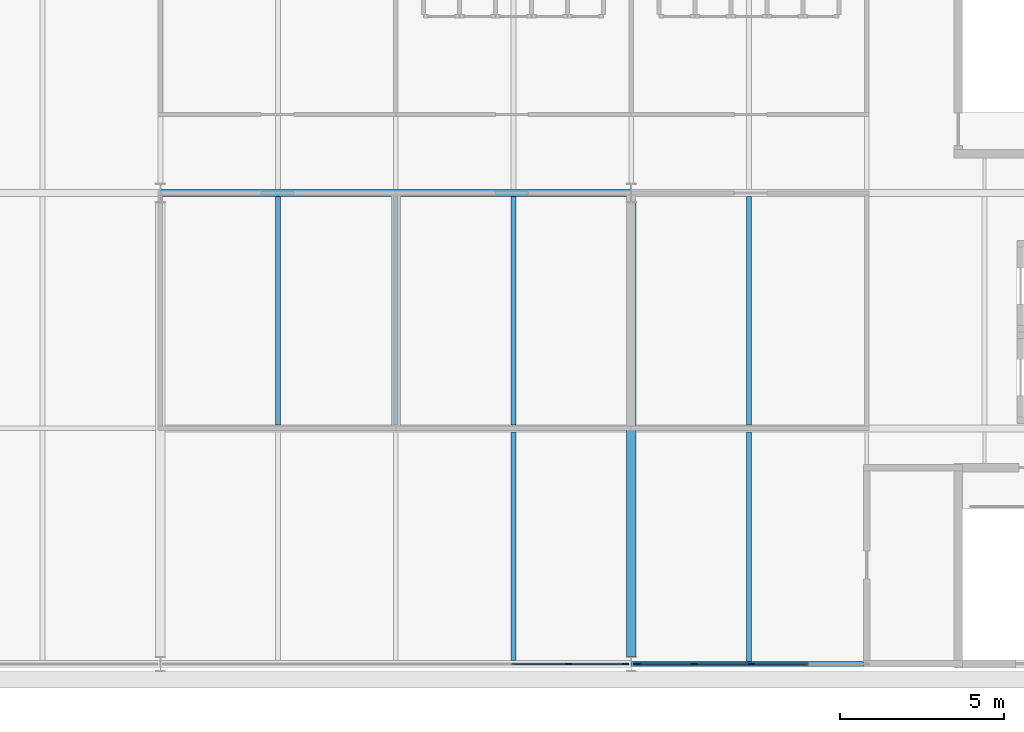
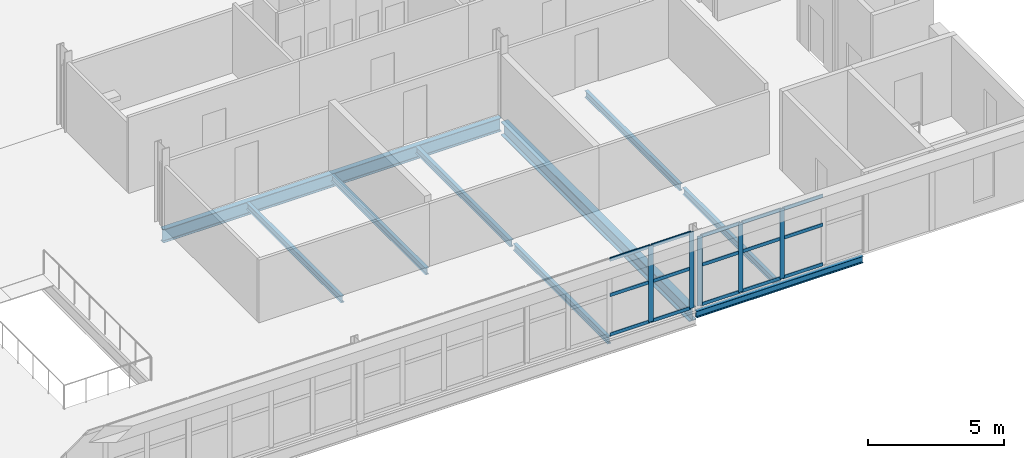
# One storey, part 26 of 142: 20 members, 9 beams, 2 elements without a shape of their own.
"""IFC4 building model written with IfcOpenShell, lengths in metres."""

from ifc_helpers import new_model, si_unit, direction, frame, origin, origin_2d, place, context, subcontext, project, spatial, rectangle, i_section, extrude, material, material_profile, profile_set, type_object, element, aggregate, save


model = new_model("IFC4")

# Units and contexts
model_context = context("Model", 3, precision=1e-05, world=origin(), true_north=direction((0.0, 1.0)))
body_context = subcontext(model_context, "Body", "Model", "MODEL_VIEW")
ifc_project = project(units=[si_unit("LENGTHUNIT", "METRE"), si_unit("AREAUNIT", "SQUARE_METRE"), si_unit("VOLUMEUNIT", "CUBIC_METRE"), si_unit("PLANEANGLEUNIT", "RADIAN"), si_unit("MASSUNIT", "GRAM", prefix="KILO")], contexts=[model_context])

# Site, building, storey
site_placement = place(None, origin())
site = spatial("IfcSite", under=ifc_project, at=site_placement, CompositionType="ELEMENT")
building_placement = place(site_placement, origin())
building = spatial("IfcBuilding", under=site, at=building_placement, Name="Kupolbacken Congress Centre", CompositionType="ELEMENT")
storey_placement = place(building_placement, frame((0.0, 0.0, 14.39990234375)))
storey = spatial("IfcBuildingStorey", under=building, at=storey_placement, Name="L04", CompositionType="ELEMENT", Elevation=14.39990234375)

# Beams
ifc_material_1 = material(Name="Steel S355", Category="steel")
ifc_material_profile_1 = material_profile(ifc_material_1, i_section(OverallWidth=0.14990234375, OverallDepth=0.300048828125, WebThickness=0.007080078125, FlangeThickness=0.0107421875, FilletRadius=0.014892578125, at=origin_2d()), Name="IPE 300")
ifc_profile_set_1 = profile_set([ifc_material_profile_1], Name="Steel S355")
beam_type_1 = type_object("IfcBeamType", Name="B04 beam IPE 300", PredefinedType="BEAM", material=ifc_profile_set_1)
beam_1_placement = place(storey_placement, frame((64.806884765625, 28.800048828125, -0.329833984375), z_axis=(1.0, 0.0, 0.0), x_axis=(0.0, 1.0, 0.0)))
element("IfcBeam", 1, at=beam_1_placement, inside=storey, type_object=beam_type_1, Name="S/floor/F/L04/R019", PredefinedType="BEAM", context=body_context, shape_type="SweptSolid", body=[
    extrude(i_section(OverallWidth=0.14990234375, OverallDepth=0.300048828125, WebThickness=0.007080078125, FlangeThickness=0.0107421875, FilletRadius=0.014892578125, at=origin_2d()), origin(), (0.0, 0.0, 1.0), 7.093017578125),
])
for number, where, z_axis, x_axis, name in (
    (2, (54.0, 36.110107421875, -0.329833984375), (0.0, 1.0, 0.0), (-1.0, 0.0, 0.0), "S/floor/F/L04/S067"),
    (3, (57.60009765625, 36.110107421875, -0.329833984375), (0.0, 1.0, 0.0), (-1.0, 0.0, 0.0), "S/floor/F/L04/S070"),
    (4, (61.199951171875, 28.909912109375, -0.329833984375), (0.0, 1.0, 0.0), (-1.0, 0.0, 0.0), "S/floor/F/L04/S072"),
    (5, (61.199951171875, 36.110107421875, -0.329833984375), (0.0, 1.0, 0.0), (-1.0, 0.0, 0.0), "S/floor/F/L04/S073"),
):
    element("IfcBeam", number, at=place(storey_placement, frame(where, z_axis=z_axis, x_axis=x_axis)), inside=storey, type_object=beam_type_1, Name=name, PredefinedType="BEAM", context=body_context, shape_type="SweptSolid", body=[
        extrude(i_section(OverallWidth=0.14990234375, OverallDepth=0.300048828125, WebThickness=0.007080078125, FlangeThickness=0.0107421875, FilletRadius=0.014892578125, at=origin_2d()), origin(), (0.0, 0.0, 1.0), 6.97998046875),
    ])
beam_2_placement = place(storey_placement, frame((68.39990234375, 28.875, -0.329833984375), z_axis=(0.0, 1.0, 0.0), x_axis=(-1.0, 0.0, 0.0)))
element("IfcBeam", 6, at=beam_2_placement, inside=storey, type_object=beam_type_1, Name="S/floor/F/L04/S075", PredefinedType="BEAM", context=body_context, shape_type="SweptSolid", body=[
    extrude(i_section(OverallWidth=0.14990234375, OverallDepth=0.300048828125, WebThickness=0.007080078125, FlangeThickness=0.0107421875, FilletRadius=0.014892578125, at=origin_2d()), origin(), (0.0, 0.0, 1.0), 7.014892578125),
])
beam_3_placement = place(storey_placement, frame((68.39990234375, 36.110107421875, -0.329833984375), z_axis=(0.0, 1.0, 0.0), x_axis=(-1.0, 0.0, 0.0)))
element("IfcBeam", 7, at=beam_3_placement, inside=storey, type_object=beam_type_1, Name="S/floor/F/L04/S076", PredefinedType="BEAM", context=body_context, shape_type="SweptSolid", body=[
    extrude(i_section(OverallWidth=0.14990234375, OverallDepth=0.300048828125, WebThickness=0.007080078125, FlangeThickness=0.0107421875, FilletRadius=0.014892578125, at=origin_2d()), origin(), (0.0, 0.0, 1.0), 6.97998046875),
])
ifc_material_2 = material(Name="Steel S355", Category="steel")
ifc_material_profile_2 = material_profile(ifc_material_2, i_section(OverallWidth=0.219970703125, OverallDepth=0.60009765625, WebThickness=0.011962890625, FlangeThickness=0.01904296875, FilletRadius=0.02392578125, at=origin_2d()), Name="IPE 600")
ifc_profile_set_2 = profile_set([ifc_material_profile_2], Name="Steel S355")
beam_type_2 = type_object("IfcBeamType", Name="B11 beam IPE 600", PredefinedType="BEAM", material=ifc_profile_set_2)
beam_4_placement = place(storey_placement, frame((50.40771484375, 43.199951171875, -0.47998046875), z_axis=(1.0, 0.0, 0.0), x_axis=(0.0, 1.0, 0.0)))
element("IfcBeam", 8, at=beam_4_placement, inside=storey, type_object=beam_type_2, Name="S/floor/F/L04/R023", PredefinedType="BEAM", context=body_context, shape_type="SweptSolid", body=[
    extrude(i_section(OverallWidth=0.219970703125, OverallDepth=0.60009765625, WebThickness=0.011962890625, FlangeThickness=0.01904296875, FilletRadius=0.02392578125, at=origin_2d()), origin(), (0.0, 0.0, 1.0), 14.384521484375),
])
ifc_material_3 = material(Name="Steel S355", Category="steel")
ifc_material_profile_3 = material_profile(ifc_material_3, i_section(OverallWidth=0.300048828125, OverallDepth=0.60009765625, WebThickness=0.015380859375, FlangeThickness=0.030029296875, FilletRadius=0.027099609375, at=origin_2d()), Name="HEB 600")
ifc_profile_set_3 = profile_set([ifc_material_profile_3], Name="Steel S355")
beam_type_3 = type_object("IfcBeamType", Name="B15 beam HEB 600", PredefinedType="BEAM", material=ifc_profile_set_3)
beam_5_placement = place(storey_placement, frame((64.800048828125, 29.02490234375, -0.47998046875), z_axis=(0.0, 1.0, 0.0), x_axis=(-1.0, 0.0, 0.0)))
element("IfcBeam", 9, at=beam_5_placement, inside=storey, type_object=beam_type_3, Name="S/floor/F/L04/G010", PredefinedType="BEAM", context=body_context, shape_type="SweptSolid", body=[
    extrude(i_section(OverallWidth=0.300048828125, OverallDepth=0.60009765625, WebThickness=0.015380859375, FlangeThickness=0.030029296875, FilletRadius=0.027099609375, at=origin_2d()), origin(), (0.0, 0.0, 1.0), 13.875),
])

# Curtain wall, members
ifc_material_4 = material(Name="Aluminium mullion-transom frame with glass", Category="aluminium")
curtain_wall_type = type_object("IfcCurtainWallType", Name="CW1 curtain wall 7200x3600", PredefinedType="NOTDEFINED", material=ifc_material_4)
curtain_wall_1_placement = place(storey_placement, origin())
curtain_wall_1 = element("IfcCurtainWall", 10, at=curtain_wall_1_placement, inside=storey, type_object=curtain_wall_type, Name="E/F/S/L04/419", PredefinedType="NOTDEFINED")
ifc_material_5 = material(Name="Aluminium alloy", Category="aluminium")
ifc_material_profile_4 = material_profile(ifc_material_5, rectangle(XDim=0.050048828125, YDim=0.199951171875, at=origin_2d()), Name="50 x 200")
ifc_profile_set_4 = profile_set([ifc_material_profile_4], Name="Aluminium alloy")
member_type_1 = type_object("IfcMemberType", Name="MU2 mullion 50x200", PredefinedType="MULLION", material=ifc_profile_set_4)
member_1_placement = place(storey_placement, frame((62.887451171875, 28.800048828125, 0.0), z_axis=(0.0, 0.0, 1.0), x_axis=(0.0, 1.0, 0.0)))
member_1 = element("IfcMember", 11, at=member_1_placement, type_object=member_type_1, Name="CW1 mullion 4", PredefinedType="MULLION", context=body_context, shape_type="SweptSolid", body=[
    extrude(rectangle(XDim=0.050048828125, YDim=0.199951171875, at=origin_2d()), origin(), (0.0, 0.0, 1.0), 3.420166015625),
])
member_2_placement = place(storey_placement, frame((64.625, 28.800048828125, 0.0), z_axis=(0.0, 0.0, 1.0), x_axis=(0.0, 1.0, 0.0)))
member_2 = element("IfcMember", 12, at=member_2_placement, type_object=member_type_1, Name="CW1 mullion 5", PredefinedType="MULLION", context=body_context, shape_type="SweptSolid", body=[
    extrude(rectangle(XDim=0.050048828125, YDim=0.199951171875, at=origin_2d()), origin(), (0.0, 0.0, 1.0), 3.420166015625),
])

curtain_wall_2_placement = place(storey_placement, origin())
curtain_wall_2 = element("IfcCurtainWall", 13, at=curtain_wall_2_placement, inside=storey, type_object=curtain_wall_type, Name="E/F/S/L04/420", PredefinedType="NOTDEFINED")
member_3_placement = place(storey_placement, frame((64.97509765625, 28.800048828125, 0.0), z_axis=(0.0, 0.0, 1.0), x_axis=(0.0, 1.0, 0.0)))
member_3 = element("IfcMember", 14, at=member_3_placement, type_object=member_type_1, Name="CW1 mullion 1", PredefinedType="MULLION", context=body_context, shape_type="SweptSolid", body=[
    extrude(rectangle(XDim=0.050048828125, YDim=0.199951171875, at=origin_2d()), origin(), (0.0, 0.0, 1.0), 3.1201171875),
])
member_4_placement = place(storey_placement, frame((66.71240234375, 28.800048828125, 0.0), z_axis=(0.0, 0.0, 1.0), x_axis=(0.0, 1.0, 0.0)))
member_4 = element("IfcMember", 15, at=member_4_placement, type_object=member_type_1, Name="CW1 mullion 2", PredefinedType="MULLION", context=body_context, shape_type="SweptSolid", body=[
    extrude(rectangle(XDim=0.050048828125, YDim=0.199951171875, at=origin_2d()), origin(), (0.0, 0.0, 1.0), 3.1201171875),
])
member_5_placement = place(storey_placement, frame((68.47509765625, 28.800048828125, 0.0), z_axis=(0.0, 0.0, 1.0), x_axis=(0.0, 1.0, 0.0)))
member_5 = element("IfcMember", 16, at=member_5_placement, type_object=member_type_1, Name="CW1 mullion 3", PredefinedType="MULLION", context=body_context, shape_type="SweptSolid", body=[
    extrude(rectangle(XDim=0.050048828125, YDim=0.199951171875, at=origin_2d()), origin(), (0.0, 0.0, 1.0), 3.1201171875),
])

# Member
ifc_material_6 = material(Name="Aluminium alloy", Category="aluminium")
ifc_material_profile_5 = material_profile(ifc_material_6, rectangle(XDim=0.050048828125, YDim=0.14990234375, at=origin_2d()), Name="50 x 150")
ifc_profile_set_5 = profile_set([ifc_material_profile_5], Name="Aluminium alloy")
member_type_2 = type_object("IfcMemberType", Name="TR2 transom 50x150", PredefinedType="MULLION", material=ifc_profile_set_5)
member_6_placement = place(storey_placement, frame((61.14990234375, 28.800048828125, 0.025146484375), z_axis=(1.0, 0.0, 0.0), x_axis=(0.0, 1.0, 0.0)))
member_6 = element("IfcMember", 17, at=member_6_placement, type_object=member_type_2, Name="CW1 transom 3.1", PredefinedType="MULLION", context=body_context, shape_type="SweptSolid", body=[
    extrude(rectangle(XDim=0.050048828125, YDim=0.14990234375, at=origin_2d()), origin(), (0.0, 0.0, 1.0), 1.712646484375),
])

member_7_placement = place(storey_placement, frame((61.14990234375, 28.800048828125, 1.800048828125), z_axis=(1.0, 0.0, 0.0), x_axis=(0.0, 1.0, 0.0)))
member_7 = element("IfcMember", 18, at=member_7_placement, type_object=member_type_2, Name="CW1 transom 3.2", PredefinedType="MULLION", context=body_context, shape_type="SweptSolid", body=[
    extrude(rectangle(XDim=0.050048828125, YDim=0.14990234375, at=origin_2d()), origin(), (0.0, 0.0, 1.0), 1.712646484375),
])

member_8_placement = place(storey_placement, frame((61.14990234375, 28.800048828125, 3.39501953125), z_axis=(1.0, 0.0, 0.0), x_axis=(0.0, 1.0, 0.0)))
member_8 = element("IfcMember", 19, at=member_8_placement, type_object=member_type_2, Name="CW1 transom 3.3", PredefinedType="MULLION", context=body_context, shape_type="SweptSolid", body=[
    extrude(rectangle(XDim=0.050048828125, YDim=0.14990234375, at=origin_2d()), origin(), (0.0, 0.0, 1.0), 1.712646484375),
])

member_9_placement = place(storey_placement, frame((62.91259765625, 28.800048828125, 0.025146484375), z_axis=(1.0, 0.0, 0.0), x_axis=(0.0, 1.0, 0.0)))
member_9 = element("IfcMember", 20, at=member_9_placement, type_object=member_type_2, Name="CW1 transom 4.1", PredefinedType="MULLION", context=body_context, shape_type="SweptSolid", body=[
    extrude(rectangle(XDim=0.050048828125, YDim=0.14990234375, at=origin_2d()), origin(), (0.0, 0.0, 1.0), 1.6875),
])

member_10_placement = place(storey_placement, frame((62.91259765625, 28.800048828125, 1.800048828125), z_axis=(1.0, 0.0, 0.0), x_axis=(0.0, 1.0, 0.0)))
member_10 = element("IfcMember", 21, at=member_10_placement, type_object=member_type_2, Name="CW1 transom 4.2", PredefinedType="MULLION", context=body_context, shape_type="SweptSolid", body=[
    extrude(rectangle(XDim=0.050048828125, YDim=0.14990234375, at=origin_2d()), origin(), (0.0, 0.0, 1.0), 1.6875),
])

member_11_placement = place(storey_placement, frame((62.91259765625, 28.800048828125, 3.39501953125), z_axis=(1.0, 0.0, 0.0), x_axis=(0.0, 1.0, 0.0)))
member_11 = element("IfcMember", 22, at=member_11_placement, type_object=member_type_2, Name="CW1 transom 4.3", PredefinedType="MULLION", context=body_context, shape_type="SweptSolid", body=[
    extrude(rectangle(XDim=0.050048828125, YDim=0.14990234375, at=origin_2d()), origin(), (0.0, 0.0, 1.0), 1.6875),
])

aggregate(curtain_wall_1, [member_1, member_2, member_6, member_7, member_8, member_9, member_10, member_11])

member_12_placement = place(storey_placement, frame((65.0, 28.800048828125, 0.025146484375), z_axis=(1.0, 0.0, 0.0), x_axis=(0.0, 1.0, 0.0)))
member_12 = element("IfcMember", 23, at=member_12_placement, type_object=member_type_2, Name="CW1 transom 1.1", PredefinedType="MULLION", context=body_context, shape_type="SweptSolid", body=[
    extrude(rectangle(XDim=0.050048828125, YDim=0.14990234375, at=origin_2d()), origin(), (0.0, 0.0, 1.0), 1.6875),
])

member_13_placement = place(storey_placement, frame((65.0, 28.800048828125, 1.800048828125), z_axis=(1.0, 0.0, 0.0), x_axis=(0.0, 1.0, 0.0)))
member_13 = element("IfcMember", 24, at=member_13_placement, type_object=member_type_2, Name="CW1 transom 1.2", PredefinedType="MULLION", context=body_context, shape_type="SweptSolid", body=[
    extrude(rectangle(XDim=0.050048828125, YDim=0.14990234375, at=origin_2d()), origin(), (0.0, 0.0, 1.0), 1.6875),
])

member_14_placement = place(storey_placement, frame((65.0, 28.800048828125, 3.09521484375), z_axis=(1.0, 0.0, 0.0), x_axis=(0.0, 1.0, 0.0)))
member_14 = element("IfcMember", 25, at=member_14_placement, type_object=member_type_2, Name="CW1 transom 1.3", PredefinedType="MULLION", context=body_context, shape_type="SweptSolid", body=[
    extrude(rectangle(XDim=0.050048828125, YDim=0.14990234375, at=origin_2d()), origin(), (0.0, 0.0, 1.0), 1.6875),
])

member_15_placement = place(storey_placement, frame((66.737548828125, 28.800048828125, 0.025146484375), z_axis=(1.0, 0.0, 0.0), x_axis=(0.0, 1.0, 0.0)))
member_15 = element("IfcMember", 26, at=member_15_placement, type_object=member_type_2, Name="CW1 transom 2.1", PredefinedType="MULLION", context=body_context, shape_type="SweptSolid", body=[
    extrude(rectangle(XDim=0.050048828125, YDim=0.14990234375, at=origin_2d()), origin(), (0.0, 0.0, 1.0), 1.71240234375),
])

member_16_placement = place(storey_placement, frame((66.737548828125, 28.800048828125, 1.800048828125), z_axis=(1.0, 0.0, 0.0), x_axis=(0.0, 1.0, 0.0)))
member_16 = element("IfcMember", 27, at=member_16_placement, type_object=member_type_2, Name="CW1 transom 2.2", PredefinedType="MULLION", context=body_context, shape_type="SweptSolid", body=[
    extrude(rectangle(XDim=0.050048828125, YDim=0.14990234375, at=origin_2d()), origin(), (0.0, 0.0, 1.0), 1.71240234375),
])

member_17_placement = place(storey_placement, frame((66.737548828125, 28.800048828125, 3.09521484375), z_axis=(1.0, 0.0, 0.0), x_axis=(0.0, 1.0, 0.0)))
member_17 = element("IfcMember", 28, at=member_17_placement, type_object=member_type_2, Name="CW1 transom 2.3", PredefinedType="MULLION", context=body_context, shape_type="SweptSolid", body=[
    extrude(rectangle(XDim=0.050048828125, YDim=0.14990234375, at=origin_2d()), origin(), (0.0, 0.0, 1.0), 1.71240234375),
])

member_18_placement = place(storey_placement, frame((68.5, 28.800048828125, 0.025146484375), z_axis=(1.0, 0.0, 0.0), x_axis=(0.0, 1.0, 0.0)))
member_18 = element("IfcMember", 29, at=member_18_placement, type_object=member_type_2, Name="CW1 transom 3.1", PredefinedType="MULLION", context=body_context, shape_type="SweptSolid", body=[
    extrude(rectangle(XDim=0.050048828125, YDim=0.14990234375, at=origin_2d()), origin(), (0.0, 0.0, 1.0), 1.71240234375),
])

member_19_placement = place(storey_placement, frame((68.5, 28.800048828125, 1.800048828125), z_axis=(1.0, 0.0, 0.0), x_axis=(0.0, 1.0, 0.0)))
member_19 = element("IfcMember", 30, at=member_19_placement, type_object=member_type_2, Name="CW1 transom 3.2", PredefinedType="MULLION", context=body_context, shape_type="SweptSolid", body=[
    extrude(rectangle(XDim=0.050048828125, YDim=0.14990234375, at=origin_2d()), origin(), (0.0, 0.0, 1.0), 1.71240234375),
])

member_20_placement = place(storey_placement, frame((68.5, 28.800048828125, 3.09521484375), z_axis=(1.0, 0.0, 0.0), x_axis=(0.0, 1.0, 0.0)))
member_20 = element("IfcMember", 31, at=member_20_placement, type_object=member_type_2, Name="CW1 transom 3.3", PredefinedType="MULLION", context=body_context, shape_type="SweptSolid", body=[
    extrude(rectangle(XDim=0.050048828125, YDim=0.14990234375, at=origin_2d()), origin(), (0.0, 0.0, 1.0), 1.71240234375),
])

aggregate(curtain_wall_2, [member_3, member_4, member_5, member_12, member_13, member_14, member_15, member_16, member_17, member_18, member_19, member_20])

save(model, "model.ifc")
